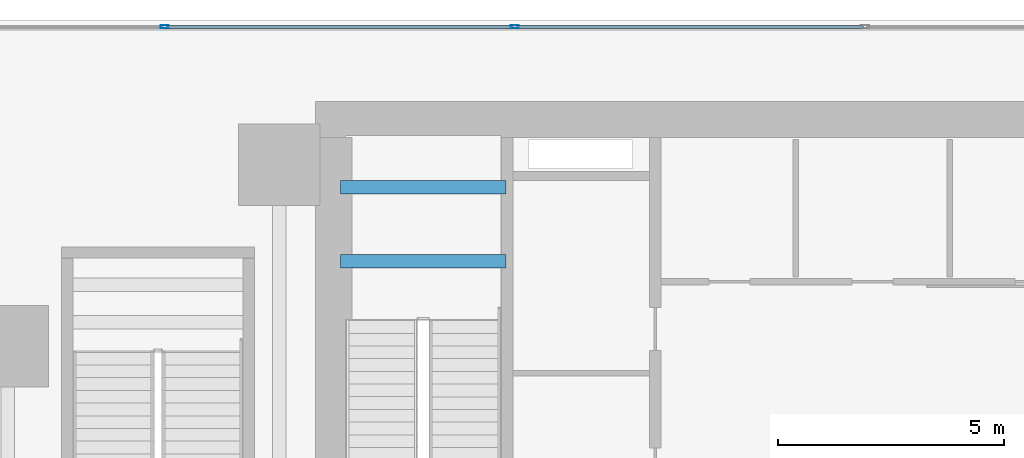
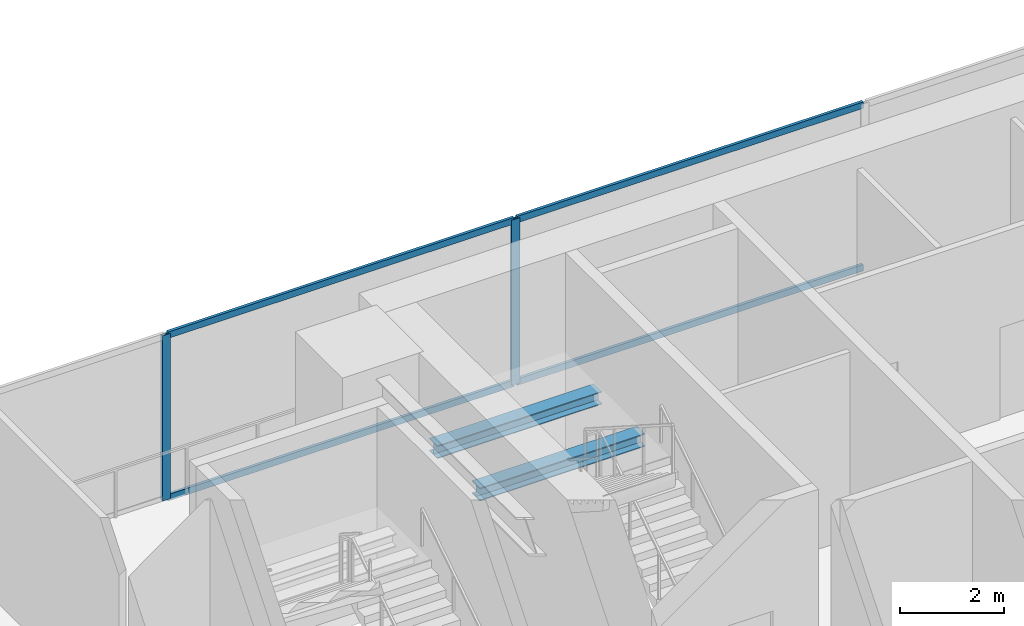
# One storey, part 3 of 17: 6 members, 2 beams, 1 element without a shape of its own.
"""IFC4 building model written with IfcOpenShell, lengths in metres."""

from ifc_helpers import new_model, si_unit, direction, frame, origin, origin_2d, place, context, subcontext, project, spatial, hollow_rectangle, i_section, extrude, source, transform, mapped, material, layer, layer_set, material_profile, profile_set, type_object, element, aggregate, save


model = new_model("IFC4")

# Units and contexts
model_context = context("Model", 3, precision=1e-05, world=origin(), true_north=direction((0.0, 1.0)))
body_context = subcontext(model_context, "Body", "Model", "MODEL_VIEW")
ifc_project = project(units=[si_unit("LENGTHUNIT", "METRE"), si_unit("AREAUNIT", "SQUARE_METRE"), si_unit("VOLUMEUNIT", "CUBIC_METRE"), si_unit("PLANEANGLEUNIT", "RADIAN"), si_unit("MASSUNIT", "GRAM", prefix="KILO")], contexts=[model_context])

# Site, building, storey
site_placement = place(None, origin())
site = spatial("IfcSite", under=ifc_project, at=site_placement, CompositionType="ELEMENT")
building_placement = place(site_placement, origin())
building = spatial("IfcBuilding", under=site, at=building_placement, Name="Sumidabori Civic Tower", CompositionType="ELEMENT")
storey_placement = place(building_placement, frame((0.0, 0.0, 9.64990234375)))
storey = spatial("IfcBuildingStorey", under=building, at=storey_placement, Name="L02", CompositionType="ELEMENT", Elevation=9.64990234375)

# Beams
ifc_material_1 = material(Name="Steel SN490", Category="steel")
ifc_material_profile_1 = material_profile(ifc_material_1, i_section(OverallWidth=0.300048828125, OverallDepth=0.300048828125, WebThickness=0.010986328125, FlangeThickness=0.01904296875, at=origin_2d()), Name="HE 300 B")
ifc_profile_set_1 = profile_set([ifc_material_profile_1], Name="Steel SN490")
beam_type = type_object("IfcBeamType", Name="BM-LDG-300", PredefinedType="BEAM", material=ifc_profile_set_1)
shared_shape_1 = source(origin(), body_context, "Body", "SweptSolid", [
    extrude(i_section(OverallWidth=0.300048828125, OverallDepth=0.300048828125, WebThickness=0.010986328125, FlangeThickness=0.01904296875, at=origin_2d()), origin(), (0.0, 0.0, 1.0), 3.64990234375),
])
for number, where, z_axis, x_axis, name in (
    (1, (-15.449951171875, 20.668701171875, 1.97509765625), (1.0, 0.0, 0.0), (0.0, 1.0, 0.0), "Stair ST-1 Landing Support Beam L02-1A"),
    (2, (-15.449951171875, 22.3046875, 1.97509765625), (1.0, 0.0, 0.0), (0.0, 1.0, 0.0), "Stair ST-1 Landing Trimmer Beam L02-1B"),
):
    element("IfcBeam", number, at=place(storey_placement, frame(where, z_axis=z_axis, x_axis=x_axis)), inside=storey, type_object=beam_type, Name=name, PredefinedType="BEAM", context=body_context, shape_type="MappedRepresentation", body=[
        mapped(shared_shape_1, transform((0.0, 0.0, 0.0), x_axis=(1.0, 0.0, 0.0), y_axis=(0.0, 1.0, 0.0), z_axis=(0.0, 0.0, 1.0), scale=1.0)),
    ])

# Curtain wall, members
ifc_material_2 = material(Name="Anodised Bronze Aluminium AW-6063-T6", Category="aluminium")
ifc_layer = layer(ifc_material_2, 0.179931640625, Name="Anodised Bronze Aluminium AW-6063-T6")
ifc_layer_set = layer_set([ifc_layer], Name="Anodised Bronze Aluminium AW-6063-T6")
curtain_wall_type = type_object("IfcCurtainWallType", Name="CW-SYS-1", PredefinedType="NOTDEFINED", material=ifc_layer_set)
curtain_wall_placement = place(storey_placement, origin())
curtain_wall = element("IfcCurtainWall", 3, at=curtain_wall_placement, inside=storey, type_object=curtain_wall_type, Name="Curtain Wall CW:L02:NORTH", PredefinedType="NOTDEFINED")
ifc_material_profile_2 = material_profile(ifc_material_2, hollow_rectangle(XDim=0.070068359375, YDim=0.179931640625, WallThickness=0.006103515625, at=origin_2d()), Name="ALU MULLION 180x70")
ifc_profile_set_2 = profile_set([ifc_material_profile_2], Name="Anodised Bronze Aluminium AW-6063-T6")
member_type_1 = type_object("IfcMemberType", Name="CW-MUL-180", PredefinedType="MULLION", material=ifc_profile_set_2)
shared_shape_2 = source(origin(), body_context, "Body", "SweptSolid", [
    extrude(hollow_rectangle(XDim=0.070068359375, YDim=0.179931640625, WallThickness=0.006103515625, at=origin_2d()), origin(), (0.0, 0.0, 1.0), 3.8701171875),
])
member_1_placement = place(storey_placement, frame((-19.333251953125, 25.85009765625, 0.0), z_axis=(0.0, 0.0, 1.0), x_axis=(0.0, 1.0, 0.0)))
member_1 = element("IfcMember", 4, at=member_1_placement, type_object=member_type_1, Name="CW-1 mullion 3", PredefinedType="MULLION", context=body_context, shape_type="MappedRepresentation", body=[
    mapped(shared_shape_2, transform((0.0, 0.0, 0.0), x_axis=(1.0, 0.0, 0.0), y_axis=(0.0, 1.0, 0.0), z_axis=(0.0, 0.0, 1.0), scale=1.0)),
])
member_2_placement = place(storey_placement, frame((-11.60009765625, 25.85009765625, 0.0), z_axis=(0.0, 0.0, 1.0), x_axis=(0.0, 1.0, 0.0)))
member_2 = element("IfcMember", 5, at=member_2_placement, type_object=member_type_1, Name="CW-1 mullion 4", PredefinedType="MULLION", context=body_context, shape_type="MappedRepresentation", body=[
    mapped(shared_shape_2, transform((0.0, 0.0, 0.0), x_axis=(1.0, 0.0, 0.0), y_axis=(0.0, 1.0, 0.0), z_axis=(0.0, 0.0, 1.0), scale=1.0)),
])
ifc_material_profile_3 = material_profile(ifc_material_2, hollow_rectangle(XDim=0.06494140625, YDim=0.14990234375, WallThickness=0.0048828125, at=origin_2d()), Name="ALU TRANSOM 150x65")
ifc_profile_set_3 = profile_set([ifc_material_profile_3], Name="Anodised Bronze Aluminium AW-6063-T6")
member_type_2 = type_object("IfcMemberType", Name="CW-TRN-150", PredefinedType="USERDEFINED", material=ifc_profile_set_3)
shared_shape_3 = source(origin(), body_context, "Body", "SweptSolid", [
    extrude(hollow_rectangle(XDim=0.06494140625, YDim=0.14990234375, WallThickness=0.0048828125, at=origin_2d()), origin(), (0.0, 0.0, 1.0), 7.663330078125),
])
member_3_placement = place(storey_placement, frame((-19.29833984375, 25.85009765625, 0.03271484375), z_axis=(1.0, 0.0, 0.0), x_axis=(0.0, 1.0, 0.0)))
member_3 = element("IfcMember", 6, at=member_3_placement, type_object=member_type_2, Name="CW-1 transom 3.1", ObjectType="TRANSOM", PredefinedType="USERDEFINED", context=body_context, shape_type="MappedRepresentation", body=[
    mapped(shared_shape_3, transform((0.0, 0.0, 0.0), x_axis=(1.0, 0.0, 0.0), y_axis=(0.0, 1.0, 0.0), z_axis=(0.0, 0.0, 1.0), scale=1.0)),
])
member_4_placement = place(storey_placement, frame((-19.29833984375, 25.85009765625, 3.837646484375), z_axis=(1.0, 0.0, 0.0), x_axis=(0.0, 1.0, 0.0)))
member_4 = element("IfcMember", 7, at=member_4_placement, type_object=member_type_2, Name="CW-1 transom 3.2", ObjectType="TRANSOM", PredefinedType="USERDEFINED", context=body_context, shape_type="MappedRepresentation", body=[
    mapped(shared_shape_3, transform((0.0, 0.0, 0.0), x_axis=(1.0, 0.0, 0.0), y_axis=(0.0, 1.0, 0.0), z_axis=(0.0, 0.0, 1.0), scale=1.0)),
])
member_5_placement = place(storey_placement, frame((-11.56494140625, 25.85009765625, 0.03271484375), z_axis=(1.0, 0.0, 0.0), x_axis=(0.0, 1.0, 0.0)))
member_5 = element("IfcMember", 8, at=member_5_placement, type_object=member_type_2, Name="CW-1 transom 4.1", ObjectType="TRANSOM", PredefinedType="USERDEFINED", context=body_context, shape_type="MappedRepresentation", body=[
    mapped(shared_shape_3, transform((0.0, 0.0, 0.0), x_axis=(1.0, 0.0, 0.0), y_axis=(0.0, 1.0, 0.0), z_axis=(0.0, 0.0, 1.0), scale=1.0)),
])
member_6_placement = place(storey_placement, frame((-11.56494140625, 25.85009765625, 3.837646484375), z_axis=(1.0, 0.0, 0.0), x_axis=(0.0, 1.0, 0.0)))
member_6 = element("IfcMember", 9, at=member_6_placement, type_object=member_type_2, Name="CW-1 transom 4.2", ObjectType="TRANSOM", PredefinedType="USERDEFINED", context=body_context, shape_type="MappedRepresentation", body=[
    mapped(shared_shape_3, transform((0.0, 0.0, 0.0), x_axis=(1.0, 0.0, 0.0), y_axis=(0.0, 1.0, 0.0), z_axis=(0.0, 0.0, 1.0), scale=1.0)),
])
aggregate(curtain_wall, [member_1, member_2, member_3, member_4, member_5, member_6])

save(model, "model.ifc")
